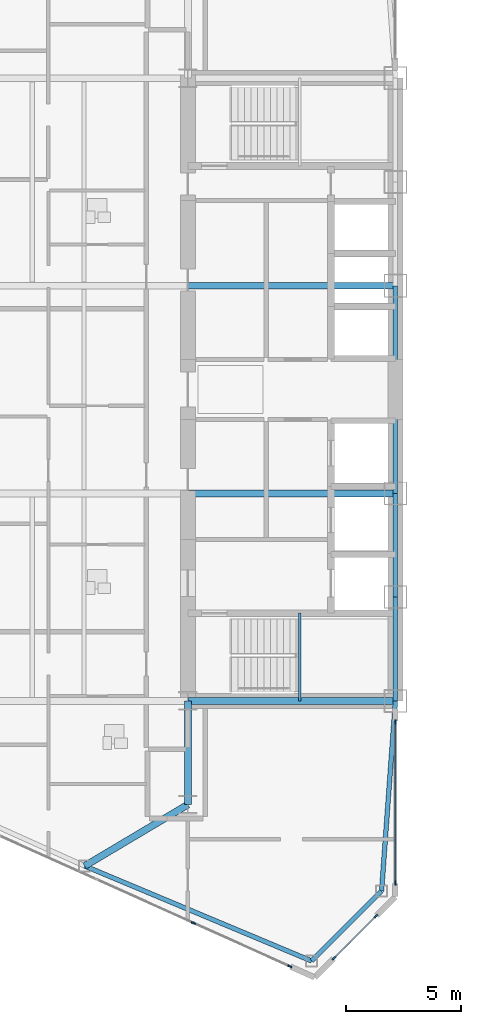
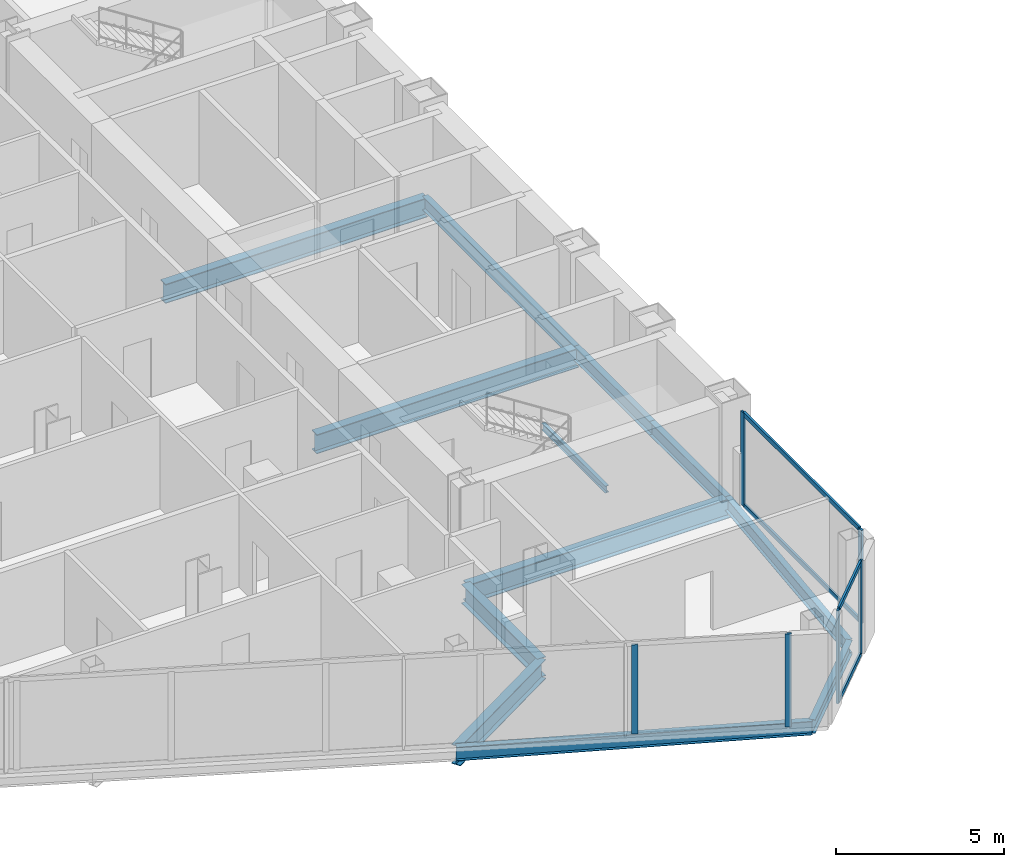
# One storey, part 6 of 27: 12 beams, 10 members, 3 elements without a shape of their own.
"""IFC4 building model written with IfcOpenShell, lengths in metres."""

import ifcopenshell
import ifcopenshell.guid

model = None  # the IFC model being written
_history = None  # IfcOwnerHistory: only IFC2X3 demands one
_inside = {}  # id of a spatial element -> (the spatial element, [elements in it])
_under = {}  # id of a project, library or spatial element -> (it, [spatial elements below it])
_declared = {}  # id of a project -> (the project, [libraries it declares])
_typed = {}  # id of a type object -> (the type object, [elements of that type])
_made_of = {}  # id of a material, layer set ... -> (it, [elements and type objects made of it])


def new_model(schema):
    """Start an empty IFC model of exactly this schema.

    Asked for "IFC4X3", IfcOpenShell would pick the latest addendum, in which some entities
    have other attributes; the version numbers below select the first issue.
    IFC2X3 requires an IfcOwnerHistory on every rooted entity: one is made here for all.
    """
    global model, _history
    if schema == "IFC4X3":
        model = ifcopenshell.file(schema_version=(4, 3, 0, 0))
    else:
        model = ifcopenshell.file(schema=schema)
    _inside.clear()
    _under.clear()
    _declared.clear()
    _typed.clear()
    _made_of.clear()
    _history = None
    if model.schema == "IFC2X3":
        org = make("IfcOrganization", Name="unknown")
        user = make(
            "IfcPersonAndOrganization",
            ThePerson=make("IfcPerson", FamilyName="unknown"),
            TheOrganization=org,
        )
        app = make(
            "IfcApplication",
            ApplicationDeveloper=org,
            Version="unknown",
            ApplicationFullName="unknown",
            ApplicationIdentifier="unknown",
        )
        _history = make(
            "IfcOwnerHistory",
            OwningUser=user,
            OwningApplication=app,
            ChangeAction="ADDED",
            CreationDate=0,
        )
    return model


def make(cls, **values):
    """One entity of the class cls with the attributes given. An attribute that is None is left unset."""
    return model.create_entity(
        cls, **{name: value for name, value in values.items() if value is not None}
    )


def rooted(cls, **values):
    """An entity with a GlobalId (a new one), such as an element, a storey or a relation."""
    return make(cls, GlobalId=ifcopenshell.guid.new(), OwnerHistory=_history, **values)


def si_unit(unit_type, name, prefix=None):
    """IfcSIUnit, for example si_unit("LENGTHUNIT", "METRE", prefix="MILLI")."""
    return make("IfcSIUnit", UnitType=unit_type, Prefix=prefix, Name=name)


def assignment(units):
    """IfcUnitAssignment: the units of a project."""
    return None if units is None else make("IfcUnitAssignment", Units=units)


def point(xyz):
    """IfcCartesianPoint."""
    return None if xyz is None else make("IfcCartesianPoint", Coordinates=xyz)


def direction(xyz):
    """IfcDirection."""
    return None if xyz is None else make("IfcDirection", DirectionRatios=xyz)


def frame(location, z_axis=None, x_axis=None):
    """IfcAxis2Placement3D, a coordinate frame: its origin and axes. An axis left out is left unset."""
    return make(
        "IfcAxis2Placement3D",
        Location=point(location),
        Axis=direction(z_axis),
        RefDirection=direction(x_axis),
    )


def frame_2d(location, x_axis=None):
    """IfcAxis2Placement2D, a coordinate frame in the plane: its origin and x axis."""
    return make(
        "IfcAxis2Placement2D", Location=point(location), RefDirection=direction(x_axis)
    )


def origin():
    """The frame at (0, 0, 0) with its axes left unset."""
    return frame((0.0, 0.0, 0.0))


def origin_2d():
    """The frame at (0, 0) in the plane with its x axis left unset."""
    return frame_2d((0.0, 0.0))


def place(relative_to, where):
    """IfcLocalPlacement: puts the frame where relative to a parent placement (None: the world)."""
    return make(
        "IfcLocalPlacement", PlacementRelTo=relative_to, RelativePlacement=where
    )


def context(
    kind, dimensions, precision=None, world=None, true_north=None, identifier=None
):
    """IfcGeometricRepresentationContext, for example the 3D "Model" context."""
    return make(
        "IfcGeometricRepresentationContext",
        ContextIdentifier=identifier,
        ContextType=kind,
        CoordinateSpaceDimension=dimensions,
        Precision=precision,
        WorldCoordinateSystem=world,
        TrueNorth=true_north,
    )


def subcontext(parent, identifier, kind, view, scale=None):
    """IfcGeometricRepresentationSubContext, for example "Body" below "Model"."""
    return make(
        "IfcGeometricRepresentationSubContext",
        ContextIdentifier=identifier,
        ContextType=kind,
        ParentContext=parent,
        TargetScale=scale,
        TargetView=view,
    )


def project(units=None, contexts=None):
    """IfcProject with its units and contexts."""
    return rooted(
        "IfcProject",
        Name="project",
        RepresentationContexts=contexts,
        UnitsInContext=assignment(units),
    )


def spatial(cls, under=None, at=None, **own):
    """A site, building, storey or space (cls), placed at a placement, below another one or the project."""
    s = rooted(cls, ObjectPlacement=at, **own)
    if under is not None:
        _under.setdefault(under.id(), (under, []))[1].append(s)
    return s


def profile(cls, at=None, kind="AREA", **sizes):
    """A parametric profile (cls). Its sizes go by their IFC names, for example OverallWidth=200.0."""
    return make(cls, ProfileType=kind, Position=at, **sizes)


def rectangle(**sizes):
    """IfcRectangleProfileDef."""
    return profile("IfcRectangleProfileDef", **sizes)


def i_section(**sizes):
    """IfcIShapeProfileDef."""
    return profile("IfcIShapeProfileDef", **sizes)


def extrude(swept, where, along, depth):
    """IfcExtrudedAreaSolid: the profile swept, set in the frame where, extruded along a direction by depth."""
    return make(
        "IfcExtrudedAreaSolid",
        SweptArea=swept,
        Position=where,
        ExtrudedDirection=direction(along),
        Depth=depth,
    )


def shape(context_of_items, identifier, shape_type, items):
    """IfcShapeRepresentation: the items that make up one representation, for example the "Body"."""
    return make(
        "IfcShapeRepresentation",
        ContextOfItems=context_of_items,
        RepresentationIdentifier=identifier,
        RepresentationType=shape_type,
        Items=items,
    )


def source(mapping_origin, context_of_items, identifier, shape_type, items):
    """IfcRepresentationMap: a shape defined once, which mapped items show again and again."""
    return make(
        "IfcRepresentationMap",
        MappingOrigin=mapping_origin,
        MappedRepresentation=shape(context_of_items, identifier, shape_type, items),
    )


def transform(
    local_origin,
    x_axis=None,
    y_axis=None,
    z_axis=None,
    scale=None,
    scale2=None,
    scale3=None,
    uniform=True,
):
    """IfcCartesianTransformationOperator3D, or its non-uniform kind. x_axis, y_axis, z_axis: its Axis1, 2, 3."""
    if uniform:
        return make(
            "IfcCartesianTransformationOperator3D",
            Axis1=direction(x_axis),
            Axis2=direction(y_axis),
            LocalOrigin=point(local_origin),
            Scale=scale,
            Axis3=direction(z_axis),
        )
    return make(
        "IfcCartesianTransformationOperator3DnonUniform",
        Axis1=direction(x_axis),
        Axis2=direction(y_axis),
        LocalOrigin=point(local_origin),
        Scale=scale,
        Axis3=direction(z_axis),
        Scale2=scale2,
        Scale3=scale3,
    )


def mapped(mapping_source, mapping_target):
    """IfcMappedItem: shows the shape of a source again, moved by a transform."""
    return make(
        "IfcMappedItem", MappingSource=mapping_source, MappingTarget=mapping_target
    )


def material(Name=None, Category=None):
    """IfcMaterial."""
    return make("IfcMaterial", Name=Name, Category=Category)


def layer(
    of_material, thickness, ventilated=None, Name=None, Category=None, Priority=None
):
    """IfcMaterialLayer: one layer of a wall or slab, of a material (None: an air gap)."""
    return make(
        "IfcMaterialLayer",
        Material=of_material,
        LayerThickness=thickness,
        IsVentilated=ventilated,
        Name=Name,
        Category=Category,
        Priority=Priority,
    )


def layer_set(layers, Name=None):
    """IfcMaterialLayerSet."""
    return make("IfcMaterialLayerSet", MaterialLayers=layers, LayerSetName=Name)


def material_profile(
    of_material, cross_section, Name=None, Category=None, Priority=None
):
    """IfcMaterialProfile: a cross section and its material."""
    return make(
        "IfcMaterialProfile",
        Name=Name,
        Material=of_material,
        Profile=cross_section,
        Priority=Priority,
        Category=Category,
    )


def profile_set(profiles, Name=None, composite=None):
    """IfcMaterialProfileSet."""
    return make(
        "IfcMaterialProfileSet",
        Name=Name,
        MaterialProfiles=profiles,
        CompositeProfile=composite,
    )


def made_of(thing, what):
    """Note that an element or type object is made of a material, layer set ...; save() writes the relation."""
    if what is not None:
        _made_of.setdefault(what.id(), (what, []))[1].append(thing)
    return thing


def type_object(cls, material=None, **own):
    """A type object (cls), such as IfcWallType, which elements share."""
    return made_of(rooted(cls, **own), material)


def type_shapes(of_type, sources):
    """Give a type object the sources (RepresentationMaps) that its elements show as mapped items."""
    of_type.RepresentationMaps = sources


def element(
    cls,
    number,
    at=None,
    inside=None,
    cuts=None,
    type_object=None,
    material=None,
    context=None,
    identifier="Body",
    shape_type=None,
    held_by="IfcProductDefinitionShape",
    body=None,
    shapes=None,
    **own,
):
    """One element of the class cls, such as IfcWall. Its Tag is "e" and its number.

    at: its placement. inside: the storey or other place that contains it. cuts: it is an
    opening in that element (IfcRelVoidsElement). A single representation is given by context,
    identifier, shape_type and body (its items); several are given by shapes. held_by: the class
    of the entity that holds the representations. save() writes the other relations.
    """
    e = rooted(cls, Tag="e%d" % number, ObjectPlacement=at, **own)
    if body is not None:
        shapes = [shape(context, identifier, shape_type, body)]
    if shapes is not None:
        e.Representation = make(held_by, Representations=shapes)
    if inside is not None:
        _inside.setdefault(inside.id(), (inside, []))[1].append(e)
    if cuts is not None:
        rooted(
            "IfcRelVoidsElement", RelatingBuildingElement=cuts, RelatedOpeningElement=e
        )
    if type_object is not None:
        _typed.setdefault(type_object.id(), (type_object, []))[1].append(e)
    return made_of(e, material)


def aggregate(whole, parts):
    """IfcRelAggregates: a whole, such as a stair, and the parts it consists of."""
    return rooted("IfcRelAggregates", RelatingObject=whole, RelatedObjects=parts)


def save(model, path):
    """Write the relations noted so far, then the file.

    IfcRelAggregates (storeys below a building ...), IfcRelContainedInSpatialStructure (elements
    in a storey), IfcRelDefinesByType, IfcRelAssociatesMaterial and IfcRelDeclares: one each for
    every whole, place, type object, material and project.
    """
    for whole, parts in _under.values():
        aggregate(whole, parts)
    for where, things in _inside.values():
        rooted(
            "IfcRelContainedInSpatialStructure",
            RelatedElements=things,
            RelatingStructure=where,
        )
    for kind, things in _typed.values():
        rooted("IfcRelDefinesByType", RelatedObjects=things, RelatingType=kind)
    for what, things in _made_of.values():
        rooted("IfcRelAssociatesMaterial", RelatedObjects=things, RelatingMaterial=what)
    for by, libraries in _declared.values():
        rooted("IfcRelDeclares", RelatingContext=by, RelatedDefinitions=libraries)
    model.write(path)


model = new_model("IFC4")

# Units and contexts
model_context = context("Model", 3, precision=1e-05, world=origin(), true_north=direction((0.0, 1.0)))
body_context = subcontext(model_context, "Body", "Model", "MODEL_VIEW")
ifc_project = project(units=[si_unit("LENGTHUNIT", "METRE"), si_unit("AREAUNIT", "SQUARE_METRE"), si_unit("VOLUMEUNIT", "CUBIC_METRE"), si_unit("PLANEANGLEUNIT", "RADIAN"), si_unit("MASSUNIT", "GRAM", prefix="KILO")], contexts=[model_context])

# Site, building, storey
site_placement = place(None, origin())
site = spatial("IfcSite", under=ifc_project, at=site_placement, CompositionType="ELEMENT")
building_placement = place(site_placement, origin())
building = spatial("IfcBuilding", under=site, at=building_placement, Name="Seokmaru Belvedere", CompositionType="ELEMENT")
storey_placement = place(building_placement, frame((0.0, 0.0, 106.800048828125)))
storey = spatial("IfcBuildingStorey", under=building, at=storey_placement, Name="L28", CompositionType="ELEMENT", Elevation=106.800048828125)

# Beams
ifc_material_1 = material(Name="Steel SM355 (355 MPa)", Category="steel")
ifc_material_profile_1 = material_profile(ifc_material_1, i_section(OverallWidth=0.199951171875, OverallDepth=0.5, WebThickness=0.010009765625, FlangeThickness=0.01611328125, at=origin_2d()), Name="H-500x200x10x16")
ifc_profile_set_1 = profile_set([ifc_material_profile_1], Name="Steel SM355 (355 MPa)")
beam_type_1 = type_object("IfcBeamType", Name="Perimeter Spandrel Beam H-500", PredefinedType="SPANDREL", material=ifc_profile_set_1)
shared_shape_1 = source(origin(), body_context, "Body", "SweptSolid", [
    extrude(i_section(OverallWidth=0.199951171875, OverallDepth=0.5, WebThickness=0.010009765625, FlangeThickness=0.01611328125, at=origin_2d()), origin(), (0.0, 0.0, 1.0), 4.5),
])
for number, where, z_axis, x_axis, name in (
    (1, (-27.5, -13.5, -0.469970703125), (0.0, 1.0, 0.0), (-1.0, 0.0, 0.0), "L28 W Portal Spine Spandrel 1"),
    (2, (-27.5, -9.0, -0.469970703125), (0.0, 1.0, 0.0), (-1.0, 0.0, 0.0), "L28 W Portal Spine Spandrel 2"),
):
    element("IfcBeam", number, at=place(storey_placement, frame(where, z_axis=z_axis, x_axis=x_axis)), inside=storey, type_object=beam_type_1, Name=name, PredefinedType="SPANDREL", context=body_context, shape_type="MappedRepresentation", body=[
        mapped(shared_shape_1, transform((0.0, 0.0, 0.0), scale=1.0)),
    ])
shared_shape_2 = source(origin(), body_context, "Body", "SweptSolid", [
    extrude(i_section(OverallWidth=0.199951171875, OverallDepth=0.5, WebThickness=0.010009765625, FlangeThickness=0.01611328125, at=origin_2d()), origin(), (0.0, 0.0, 1.0), 9.0),
])
beam_1_placement = place(storey_placement, frame((-27.5, -4.5, -0.469970703125), z_axis=(0.0, 1.0, 0.0), x_axis=(-1.0, 0.0, 0.0)))
element("IfcBeam", 3, at=beam_1_placement, inside=storey, type_object=beam_type_1, Name="L28 W Portal Spine Spandrel 3", PredefinedType="SPANDREL", context=body_context, shape_type="MappedRepresentation", body=[
    mapped(shared_shape_2, transform((0.0, 0.0, 0.0), scale=1.0)),
])
ifc_material_profile_2 = material_profile(ifc_material_1, i_section(OverallWidth=0.300048828125, OverallDepth=0.699951171875, WebThickness=0.012939453125, FlangeThickness=0.02392578125, at=origin_2d()), Name="H-700x300x13x24")
ifc_profile_set_2 = profile_set([ifc_material_profile_2], Name="Steel SM355 (355 MPa)")
beam_type_2 = type_object("IfcBeamType", Name="Primary Floor Girder H-700", PredefinedType="BEAM", material=ifc_profile_set_2)
shared_shape_3 = source(origin(), body_context, "Body", "SweptSolid", [
    extrude(i_section(OverallWidth=0.300048828125, OverallDepth=0.699951171875, WebThickness=0.012939453125, FlangeThickness=0.02392578125, at=origin_2d()), origin(), (0.0, 0.0, 1.0), 4.5),
])
beam_2_placement = place(storey_placement, frame((-36.5, -18.0, -0.570068359375), z_axis=(0.0, 1.0, 0.0), x_axis=(-1.0, 0.0, 0.0)))
element("IfcBeam", 4, at=beam_2_placement, inside=storey, type_object=beam_type_2, Name="L28 W Core Shoulder Girder S", PredefinedType="BEAM", context=body_context, shape_type="MappedRepresentation", body=[
    mapped(shared_shape_3, transform((0.0, 0.0, 0.0), scale=1.0)),
])
shared_shape_4 = source(origin(), body_context, "Body", "SweptSolid", [
    extrude(i_section(OverallWidth=0.300048828125, OverallDepth=0.699951171875, WebThickness=0.012939453125, FlangeThickness=0.02392578125, at=origin_2d()), origin(), (0.0, 0.0, 1.0), 9.0),
])
for number, where, z_axis, x_axis, name in (
    (5, (-36.5, -13.5, -0.570068359375), (1.0, 0.0, 0.0), (0.0, 1.0, 0.0), "L28 W Core Tie Girder 1"),
    (6, (-36.5, -4.5, -0.570068359375), (1.0, 0.0, 0.0), (0.0, 1.0, 0.0), "L28 W Core Tie Girder 2"),
    (7, (-36.5, 4.5, -0.570068359375), (1.0, 0.0, 0.0), (0.0, 1.0, 0.0), "L28 W Core Tie Girder 3"),
):
    element("IfcBeam", number, at=place(storey_placement, frame(where, z_axis=z_axis, x_axis=x_axis)), inside=storey, type_object=beam_type_2, Name=name, PredefinedType="BEAM", context=body_context, shape_type="MappedRepresentation", body=[
        mapped(shared_shape_4, transform((0.0, 0.0, 0.0), scale=1.0)),
    ])
shared_shape_5 = source(origin(), body_context, "Body", "SweptSolid", [
    extrude(i_section(OverallWidth=0.199951171875, OverallDepth=0.5, WebThickness=0.010009765625, FlangeThickness=0.01611328125, at=origin_2d()), origin(), (0.0, 0.0, 1.0), 10.66943359375),
])
beam_3_placement = place(storey_placement, frame((-31.13134765625, -24.782958984375, -0.469970703125), z_axis=(-0.922375393128, 0.386294750355, 0.0), x_axis=(-0.386294750355, -0.922375393128, 0.0)))
element("IfcBeam", 8, at=beam_3_placement, inside=storey, type_object=beam_type_1, Name="L28 W Faceted Flank Spandrel S-1", PredefinedType="SPANDREL", context=body_context, shape_type="MappedRepresentation", body=[
    mapped(shared_shape_5, transform((0.0, 0.0, 0.0), scale=1.0)),
])
shared_shape_6 = source(origin(), body_context, "Body", "SweptSolid", [
    extrude(i_section(OverallWidth=0.199951171875, OverallDepth=0.5, WebThickness=0.010009765625, FlangeThickness=0.01611328125, at=origin_2d()), origin(), (0.0, 0.0, 1.0), 4.287109375),
])
beam_4_placement = place(storey_placement, frame((-31.13134765625, -24.782958984375, -0.469970703125), z_axis=(0.707078306132, 0.707135255094, 0.0), x_axis=(-0.707135255094, 0.707078306132, 0.0)))
element("IfcBeam", 9, at=beam_4_placement, inside=storey, type_object=beam_type_1, Name="L28 W Shoulder Chamfer Spandrel S", PredefinedType="SPANDREL", context=body_context, shape_type="MappedRepresentation", body=[
    mapped(shared_shape_6, transform((0.0, 0.0, 0.0), scale=1.0)),
])
shared_shape_7 = source(origin(), body_context, "Body", "SweptSolid", [
    extrude(i_section(OverallWidth=0.199951171875, OverallDepth=0.5, WebThickness=0.010009765625, FlangeThickness=0.01611328125, at=origin_2d()), origin(), (0.0, 0.0, 1.0), 8.273193359375),
])
type_shapes(beam_type_1, [shared_shape_1, shared_shape_2, shared_shape_5, shared_shape_6, shared_shape_7])
beam_5_placement = place(storey_placement, frame((-28.10009765625, -21.75146484375, -0.469970703125), z_axis=(0.072534628348, 0.99736589459, 0.0), x_axis=(-0.99736589459, 0.072534628348, 0.0)))
element("IfcBeam", 10, at=beam_5_placement, inside=storey, type_object=beam_type_1, Name="L28 W Shoulder Spine Spandrel S", PredefinedType="SPANDREL", context=body_context, shape_type="MappedRepresentation", body=[
    mapped(shared_shape_7, transform((0.0, 0.0, 0.0), scale=1.0)),
])
shared_shape_8 = source(origin(), body_context, "Body", "SweptSolid", [
    extrude(i_section(OverallWidth=0.300048828125, OverallDepth=0.699951171875, WebThickness=0.012939453125, FlangeThickness=0.02392578125, at=origin_2d()), origin(), (0.0, 0.0, 1.0), 5.20458984375),
])
type_shapes(beam_type_2, [shared_shape_3, shared_shape_4, shared_shape_8])
beam_6_placement = place(storey_placement, frame((-40.97265625, -20.661376953125, -0.570068359375), z_axis=(0.859370434188, 0.511353553662, 0.0), x_axis=(-0.511353553662, 0.859370434188, 0.0)))
element("IfcBeam", 11, at=beam_6_placement, inside=storey, type_object=beam_type_2, Name="L28 W Flank Radial Floor Girder S-1", PredefinedType="BEAM", context=body_context, shape_type="MappedRepresentation", body=[
    mapped(shared_shape_8, transform((0.0, 0.0, 0.0), scale=1.0)),
])

# Curtain wall, members
ifc_material_2 = material(Name="Bronze Triple Insulating Glass", Category="glass")
ifc_layer = layer(ifc_material_2, 0.195068359375)
ifc_layer_set = layer_set([ifc_layer], Name="Bronze Triple Insulating Glass")
curtain_wall_type = type_object("IfcCurtainWallType", Name="Lower-Mid Tapered Curtain Wall System CW-3", PredefinedType="NOTDEFINED", material=ifc_layer_set)
curtain_wall_1_placement = place(storey_placement, origin())
curtain_wall_1 = element("IfcCurtainWall", 12, at=curtain_wall_1_placement, inside=storey, type_object=curtain_wall_type, Name="L28 Curtain Wall WSP_1", PredefinedType="NOTDEFINED")
ifc_material_3 = material(Name="Anodised Bronze Aluminium", Category="aluminium")
ifc_material_profile_3 = material_profile(ifc_material_3, rectangle(XDim=0.070068359375, YDim=0.195068359375, at=origin_2d()), Name="CW-M-70x195")
ifc_profile_set_3 = profile_set([ifc_material_profile_3], Name="Anodised Bronze Aluminium")
member_type_1 = type_object("IfcMemberType", Name="Bronze Unitised Mullion 70x195", PredefinedType="MULLION", material=ifc_profile_set_3)
shared_shape_9 = source(origin(), body_context, "Body", "SweptSolid", [
    extrude(rectangle(XDim=0.070068359375, YDim=0.195068359375, at=origin_2d()), origin(), (0.0, 0.0, 1.0), 3.3798828125),
])
member_1_placement = place(storey_placement, frame((-27.5, -21.39501953125, 0.0), z_axis=(0.0, 0.0, 1.0), x_axis=(-1.0, 0.0, 0.0)))
member_1 = element("IfcMember", 13, at=member_1_placement, type_object=member_type_1, Name="CW:L28:WSP_1 Mullion 1", PredefinedType="MULLION", context=body_context, shape_type="MappedRepresentation", body=[
    mapped(shared_shape_9, transform((0.0, 0.0, 0.0), scale=1.0)),
])
member_2_placement = place(storey_placement, frame((-27.5, -14.4150390625, 0.0), z_axis=(0.0, 0.0, 1.0), x_axis=(-1.0, 0.0, 0.0)))
member_2 = element("IfcMember", 14, at=member_2_placement, type_object=member_type_1, Name="CW:L28:WSP_1 Mullion 2", PredefinedType="MULLION", context=body_context, shape_type="MappedRepresentation", body=[
    mapped(shared_shape_9, transform((0.0, 0.0, 0.0), scale=1.0)),
])

# Curtain wall, member
curtain_wall_2_placement = place(storey_placement, origin())
curtain_wall_2 = element("IfcCurtainWall", 15, at=curtain_wall_2_placement, inside=storey, type_object=curtain_wall_type, Name="L28 Curtain Wall WF5", PredefinedType="NOTDEFINED")
member_3_placement = place(storey_placement, frame((-32.08056640625, -25.013671875, 0.0), z_axis=(0.0, 0.0, 1.0), x_axis=(0.41036554765, 0.91192111353, 0.0)))
member_3 = element("IfcMember", 16, at=member_3_placement, type_object=member_type_1, Name="CW:L28:WF5 Mullion 10", PredefinedType="MULLION", context=body_context, shape_type="MappedRepresentation", body=[
    mapped(shared_shape_9, transform((0.0, 0.0, 0.0), scale=1.0)),
])

# Curtain wall, members
curtain_wall_3_placement = place(storey_placement, origin())
curtain_wall_3 = element("IfcCurtainWall", 17, at=curtain_wall_3_placement, inside=storey, type_object=curtain_wall_type, Name="L28 Curtain Wall WF6", PredefinedType="NOTDEFINED")
member_4_placement = place(storey_placement, frame((-30.162109375, -24.662109375, 0.0), z_axis=(0.0, 0.0, 1.0), x_axis=(-0.707106781187, 0.707106781187, 0.0)))
member_4 = element("IfcMember", 18, at=member_4_placement, type_object=member_type_1, Name="CW:L28:WF6 Mullion 1", PredefinedType="MULLION", context=body_context, shape_type="MappedRepresentation", body=[
    mapped(shared_shape_9, transform((0.0, 0.0, 0.0), scale=1.0)),
])
member_5_placement = place(storey_placement, frame((-28.337890625, -22.837890625, 0.0), z_axis=(0.0, 0.0, 1.0), x_axis=(-0.707106781187, 0.707106781187, 0.0)))
member_5 = element("IfcMember", 19, at=member_5_placement, type_object=member_type_1, Name="CW:L28:WF6 Mullion 2", PredefinedType="MULLION", context=body_context, shape_type="MappedRepresentation", body=[
    mapped(shared_shape_9, transform((0.0, 0.0, 0.0), scale=1.0)),
])

# Member
ifc_material_profile_4 = material_profile(ifc_material_3, rectangle(XDim=0.070068359375, YDim=0.1650390625, at=origin_2d()), Name="CW-T-70x165")
ifc_profile_set_4 = profile_set([ifc_material_profile_4], Name="Anodised Bronze Aluminium")
member_type_2 = type_object("IfcMemberType", Name="Bronze Unitised Transom 70x165", PredefinedType="USERDEFINED", material=ifc_profile_set_4)
shared_shape_10 = source(origin(), body_context, "Body", "SweptSolid", [
    extrude(rectangle(XDim=0.070068359375, YDim=0.1650390625, at=origin_2d()), origin(), (0.0, 0.0, 1.0), 6.91015625),
])
member_6_placement = place(storey_placement, frame((-27.5, -21.360107421875, 0.034912109375), z_axis=(0.0, 1.0, 0.0), x_axis=(-1.0, 0.0, 0.0)))
member_6 = element("IfcMember", 20, at=member_6_placement, type_object=member_type_2, Name="CW:L28:WSP_1 Continuous Transom 1", ObjectType="TRANSOM", PredefinedType="USERDEFINED", context=body_context, shape_type="MappedRepresentation", body=[
    mapped(shared_shape_10, transform((0.0, 0.0, 0.0), scale=1.0)),
])

member_7_placement = place(storey_placement, frame((-27.5, -21.360107421875, 3.344970703125), z_axis=(0.0, 1.0, 0.0), x_axis=(-1.0, 0.0, 0.0)))
member_7 = element("IfcMember", 21, at=member_7_placement, type_object=member_type_2, Name="CW:L28:WSP_1 Continuous Transom 2", ObjectType="TRANSOM", PredefinedType="USERDEFINED", context=body_context, shape_type="MappedRepresentation", body=[
    mapped(shared_shape_10, transform((0.0, 0.0, 0.0), scale=1.0)),
])

aggregate(curtain_wall_1, [member_1, member_2, member_6, member_7])

shared_shape_11 = source(origin(), body_context, "Body", "SweptSolid", [
    extrude(rectangle(XDim=0.070068359375, YDim=0.1650390625, at=origin_2d()), origin(), (0.0, 0.0, 1.0), 2.509521484375),
])
type_shapes(member_type_2, [shared_shape_10, shared_shape_11])
member_8_placement = place(storey_placement, frame((-30.13720703125, -24.63720703125, 0.034912109375), z_axis=(0.707106781187, 0.707106781187, 0.0), x_axis=(-0.707106781187, 0.707106781187, 0.0)))
member_8 = element("IfcMember", 22, at=member_8_placement, type_object=member_type_2, Name="CW:L28:WF6 Continuous Transom 1", ObjectType="TRANSOM", PredefinedType="USERDEFINED", context=body_context, shape_type="MappedRepresentation", body=[
    mapped(shared_shape_11, transform((0.0, 0.0, 0.0), scale=1.0)),
])

member_9_placement = place(storey_placement, frame((-30.13720703125, -24.63720703125, 3.344970703125), z_axis=(0.707106781187, 0.707106781187, 0.0), x_axis=(-0.707106781187, 0.707106781187, 0.0)))
member_9 = element("IfcMember", 23, at=member_9_placement, type_object=member_type_2, Name="CW:L28:WF6 Continuous Transom 2", ObjectType="TRANSOM", PredefinedType="USERDEFINED", context=body_context, shape_type="MappedRepresentation", body=[
    mapped(shared_shape_11, transform((0.0, 0.0, 0.0), scale=1.0)),
])

aggregate(curtain_wall_3, [member_4, member_5, member_8, member_9])

shared_shape_12 = source(origin(), body_context, "Body", "SweptSolid", [
    extrude(rectangle(XDim=0.070068359375, YDim=0.195068359375, at=origin_2d()), origin(), (0.0, 0.0, 1.0), 3.239990234375),
])
type_shapes(member_type_1, [shared_shape_9, shared_shape_12])
member_10_placement = place(storey_placement, frame((-36.260009765625, -23.133056640625, 0.070068359375), z_axis=(0.0, 0.0, 1.0), x_axis=(0.41036554765, 0.91192111353, 0.0)))
member_10 = element("IfcMember", 24, at=member_10_placement, type_object=member_type_1, Name="CW:L28:WF5 Mullion 9", PredefinedType="MULLION", context=body_context, shape_type="MappedRepresentation", body=[
    mapped(shared_shape_12, transform((0.0, 0.0, 0.0), scale=1.0)),
])

aggregate(curtain_wall_2, [member_10, member_3])

# Beam
ifc_material_profile_5 = material_profile(ifc_material_1, i_section(OverallWidth=0.125, OverallDepth=0.25, WebThickness=0.006103515625, FlangeThickness=0.009033203125, at=origin_2d()), Name="H-250x125x6x9")
ifc_profile_set_5 = profile_set([ifc_material_profile_5], Name="Steel SM355 (355 MPa)")
beam_type_3 = type_object("IfcBeamType", Name="Stair Mid-Landing Support Beam H-250", PredefinedType="JOIST", material=ifc_profile_set_5)
shared_shape_13 = source(origin(), body_context, "Body", "SweptSolid", [
    extrude(i_section(OverallWidth=0.125, OverallDepth=0.25, WebThickness=0.006103515625, FlangeThickness=0.009033203125, at=origin_2d()), origin(), (0.0, 0.0, 1.0), 3.800048828125),
])
type_shapes(beam_type_3, [shared_shape_13])
beam_7_placement = place(storey_placement, frame((-31.64990234375, -13.5, 1.474853515625), z_axis=(0.0, 1.0, 0.0), x_axis=(-1.0, 0.0, 0.0)))
element("IfcBeam", 25, at=beam_7_placement, inside=storey, type_object=beam_type_3, Name="L28 Stair ST-W1 Mid-Landing Support Beam 1", PredefinedType="JOIST", context=body_context, shape_type="MappedRepresentation", body=[
    mapped(shared_shape_13, transform((0.0, 0.0, 0.0), scale=1.0)),
])

save(model, "model.ifc")
